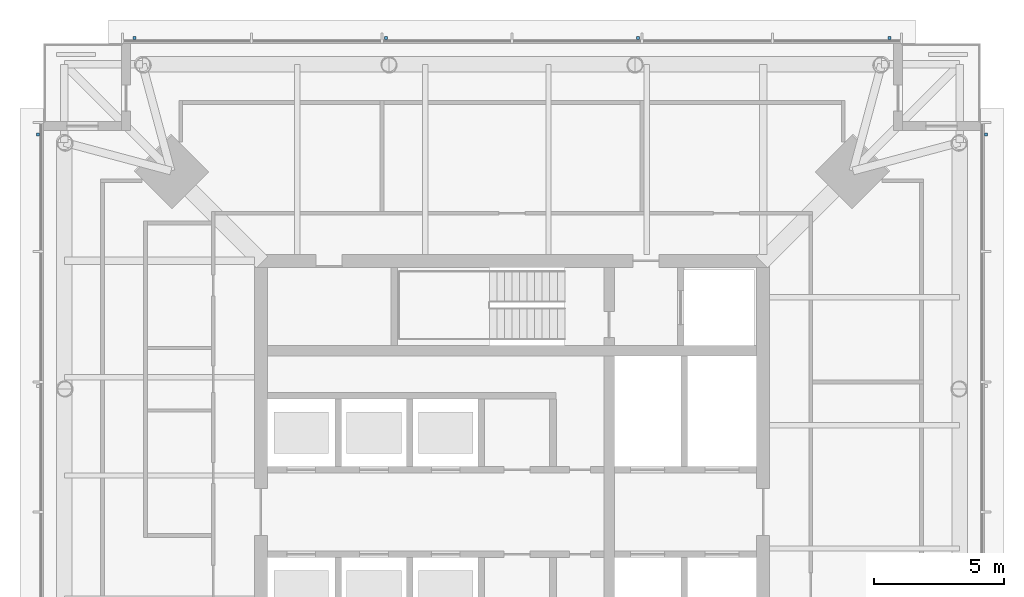
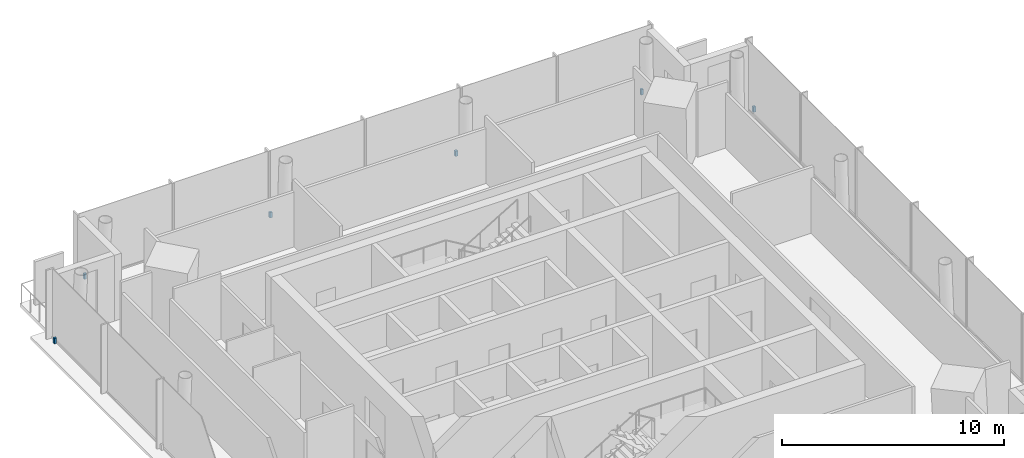
# One storey, part 8 of 10: 6 discrete accessories.
"""IFC4 building model written with IfcOpenShell, lengths in metres."""

import ifcopenshell
import ifcopenshell.guid

model = None  # the IFC model being written
_history = None  # IfcOwnerHistory: only IFC2X3 demands one
_inside = {}  # id of a spatial element -> (the spatial element, [elements in it])
_under = {}  # id of a project, library or spatial element -> (it, [spatial elements below it])
_declared = {}  # id of a project -> (the project, [libraries it declares])
_typed = {}  # id of a type object -> (the type object, [elements of that type])
_made_of = {}  # id of a material, layer set ... -> (it, [elements and type objects made of it])


def new_model(schema):
    """Start an empty IFC model of exactly this schema.

    Asked for "IFC4X3", IfcOpenShell would pick the latest addendum, in which some entities
    have other attributes; the version numbers below select the first issue.
    IFC2X3 requires an IfcOwnerHistory on every rooted entity: one is made here for all.
    """
    global model, _history
    if schema == "IFC4X3":
        model = ifcopenshell.file(schema_version=(4, 3, 0, 0))
    else:
        model = ifcopenshell.file(schema=schema)
    _inside.clear()
    _under.clear()
    _declared.clear()
    _typed.clear()
    _made_of.clear()
    _history = None
    if model.schema == "IFC2X3":
        org = make("IfcOrganization", Name="unknown")
        user = make(
            "IfcPersonAndOrganization",
            ThePerson=make("IfcPerson", FamilyName="unknown"),
            TheOrganization=org,
        )
        app = make(
            "IfcApplication",
            ApplicationDeveloper=org,
            Version="unknown",
            ApplicationFullName="unknown",
            ApplicationIdentifier="unknown",
        )
        _history = make(
            "IfcOwnerHistory",
            OwningUser=user,
            OwningApplication=app,
            ChangeAction="ADDED",
            CreationDate=0,
        )
    return model


def make(cls, **values):
    """One entity of the class cls with the attributes given. An attribute that is None is left unset."""
    return model.create_entity(
        cls, **{name: value for name, value in values.items() if value is not None}
    )


def rooted(cls, **values):
    """An entity with a GlobalId (a new one), such as an element, a storey or a relation."""
    return make(cls, GlobalId=ifcopenshell.guid.new(), OwnerHistory=_history, **values)


def si_unit(unit_type, name, prefix=None):
    """IfcSIUnit, for example si_unit("LENGTHUNIT", "METRE", prefix="MILLI")."""
    return make("IfcSIUnit", UnitType=unit_type, Prefix=prefix, Name=name)


def assignment(units):
    """IfcUnitAssignment: the units of a project."""
    return None if units is None else make("IfcUnitAssignment", Units=units)


def point(xyz):
    """IfcCartesianPoint."""
    return None if xyz is None else make("IfcCartesianPoint", Coordinates=xyz)


def direction(xyz):
    """IfcDirection."""
    return None if xyz is None else make("IfcDirection", DirectionRatios=xyz)


def frame(location, z_axis=None, x_axis=None):
    """IfcAxis2Placement3D, a coordinate frame: its origin and axes. An axis left out is left unset."""
    return make(
        "IfcAxis2Placement3D",
        Location=point(location),
        Axis=direction(z_axis),
        RefDirection=direction(x_axis),
    )


def frame_2d(location, x_axis=None):
    """IfcAxis2Placement2D, a coordinate frame in the plane: its origin and x axis."""
    return make(
        "IfcAxis2Placement2D", Location=point(location), RefDirection=direction(x_axis)
    )


def origin():
    """The frame at (0, 0, 0) with its axes left unset."""
    return frame((0.0, 0.0, 0.0))


def origin_2d():
    """The frame at (0, 0) in the plane with its x axis left unset."""
    return frame_2d((0.0, 0.0))


def place(relative_to, where):
    """IfcLocalPlacement: puts the frame where relative to a parent placement (None: the world)."""
    return make(
        "IfcLocalPlacement", PlacementRelTo=relative_to, RelativePlacement=where
    )


def context(
    kind, dimensions, precision=None, world=None, true_north=None, identifier=None
):
    """IfcGeometricRepresentationContext, for example the 3D "Model" context."""
    return make(
        "IfcGeometricRepresentationContext",
        ContextIdentifier=identifier,
        ContextType=kind,
        CoordinateSpaceDimension=dimensions,
        Precision=precision,
        WorldCoordinateSystem=world,
        TrueNorth=true_north,
    )


def subcontext(parent, identifier, kind, view, scale=None):
    """IfcGeometricRepresentationSubContext, for example "Body" below "Model"."""
    return make(
        "IfcGeometricRepresentationSubContext",
        ContextIdentifier=identifier,
        ContextType=kind,
        ParentContext=parent,
        TargetScale=scale,
        TargetView=view,
    )


def project(units=None, contexts=None):
    """IfcProject with its units and contexts."""
    return rooted(
        "IfcProject",
        Name="project",
        RepresentationContexts=contexts,
        UnitsInContext=assignment(units),
    )


def spatial(cls, under=None, at=None, **own):
    """A site, building, storey or space (cls), placed at a placement, below another one or the project."""
    s = rooted(cls, ObjectPlacement=at, **own)
    if under is not None:
        _under.setdefault(under.id(), (under, []))[1].append(s)
    return s


def profile(cls, at=None, kind="AREA", **sizes):
    """A parametric profile (cls). Its sizes go by their IFC names, for example OverallWidth=200.0."""
    return make(cls, ProfileType=kind, Position=at, **sizes)


def rectangle(**sizes):
    """IfcRectangleProfileDef."""
    return profile("IfcRectangleProfileDef", **sizes)


def extrude(swept, where, along, depth):
    """IfcExtrudedAreaSolid: the profile swept, set in the frame where, extruded along a direction by depth."""
    return make(
        "IfcExtrudedAreaSolid",
        SweptArea=swept,
        Position=where,
        ExtrudedDirection=direction(along),
        Depth=depth,
    )


def shape(context_of_items, identifier, shape_type, items):
    """IfcShapeRepresentation: the items that make up one representation, for example the "Body"."""
    return make(
        "IfcShapeRepresentation",
        ContextOfItems=context_of_items,
        RepresentationIdentifier=identifier,
        RepresentationType=shape_type,
        Items=items,
    )


def material(Name=None, Category=None):
    """IfcMaterial."""
    return make("IfcMaterial", Name=Name, Category=Category)


def made_of(thing, what):
    """Note that an element or type object is made of a material, layer set ...; save() writes the relation."""
    if what is not None:
        _made_of.setdefault(what.id(), (what, []))[1].append(thing)
    return thing


def type_object(cls, material=None, **own):
    """A type object (cls), such as IfcWallType, which elements share."""
    return made_of(rooted(cls, **own), material)


def element(
    cls,
    number,
    at=None,
    inside=None,
    cuts=None,
    type_object=None,
    material=None,
    context=None,
    identifier="Body",
    shape_type=None,
    held_by="IfcProductDefinitionShape",
    body=None,
    shapes=None,
    **own,
):
    """One element of the class cls, such as IfcWall. Its Tag is "e" and its number.

    at: its placement. inside: the storey or other place that contains it. cuts: it is an
    opening in that element (IfcRelVoidsElement). A single representation is given by context,
    identifier, shape_type and body (its items); several are given by shapes. held_by: the class
    of the entity that holds the representations. save() writes the other relations.
    """
    e = rooted(cls, Tag="e%d" % number, ObjectPlacement=at, **own)
    if body is not None:
        shapes = [shape(context, identifier, shape_type, body)]
    if shapes is not None:
        e.Representation = make(held_by, Representations=shapes)
    if inside is not None:
        _inside.setdefault(inside.id(), (inside, []))[1].append(e)
    if cuts is not None:
        rooted(
            "IfcRelVoidsElement", RelatingBuildingElement=cuts, RelatedOpeningElement=e
        )
    if type_object is not None:
        _typed.setdefault(type_object.id(), (type_object, []))[1].append(e)
    return made_of(e, material)


def aggregate(whole, parts):
    """IfcRelAggregates: a whole, such as a stair, and the parts it consists of."""
    return rooted("IfcRelAggregates", RelatingObject=whole, RelatedObjects=parts)


def save(model, path):
    """Write the relations noted so far, then the file.

    IfcRelAggregates (storeys below a building ...), IfcRelContainedInSpatialStructure (elements
    in a storey), IfcRelDefinesByType, IfcRelAssociatesMaterial and IfcRelDeclares: one each for
    every whole, place, type object, material and project.
    """
    for whole, parts in _under.values():
        aggregate(whole, parts)
    for where, things in _inside.values():
        rooted(
            "IfcRelContainedInSpatialStructure",
            RelatedElements=things,
            RelatingStructure=where,
        )
    for kind, things in _typed.values():
        rooted("IfcRelDefinesByType", RelatedObjects=things, RelatingType=kind)
    for what, things in _made_of.values():
        rooted("IfcRelAssociatesMaterial", RelatedObjects=things, RelatingMaterial=what)
    for by, libraries in _declared.values():
        rooted("IfcRelDeclares", RelatingContext=by, RelatedDefinitions=libraries)
    model.write(path)


model = new_model("IFC4")

# Units and contexts
model_context = context("Model", 3, precision=1e-05, world=origin(), true_north=direction((0.0, 1.0)))
body_context = subcontext(model_context, "Body", "Model", "MODEL_VIEW")
ifc_project = project(units=[si_unit("LENGTHUNIT", "METRE"), si_unit("AREAUNIT", "SQUARE_METRE"), si_unit("VOLUMEUNIT", "CUBIC_METRE"), si_unit("PLANEANGLEUNIT", "RADIAN"), si_unit("MASSUNIT", "GRAM", prefix="KILO")], contexts=[model_context])

# Site, building, storey
site_placement = place(None, origin())
site = spatial("IfcSite", under=ifc_project, at=site_placement, CompositionType="ELEMENT")
building_placement = place(site_placement, origin())
building = spatial("IfcBuilding", under=site, at=building_placement, Name="Ostroluk Exchange", CompositionType="ELEMENT")
storey_placement = place(building_placement, frame((0.0, 0.0, 233.800048828125)))
storey = spatial("IfcBuildingStorey", under=building, at=storey_placement, Name="L60", CompositionType="ELEMENT", Elevation=233.800048828125)

# Discrete accessories
ifc_material = material(Name="Stainless steel", Category="steel")
discrete_accessory_type = type_object("IfcDiscreteAccessoryType", Name="Fall-arrest anchor PN-EN 795 type C", PredefinedType="USERDEFINED", material=ifc_material)
for number, where, z_axis, x_axis, name in (
    (1, (63.2099609375, 60.5, 0.0), (0.0, 0.0, 1.0), (1.0, 0.0, 0.0), "Fall-arrest anchor L60 east 4"),
    (2, (30.5, 64.2099609375, 0.0), (0.0, 0.0, 1.0), (1.0, 0.0, 0.0), "Fall-arrest anchor L60 north 1"),
    (3, (40.166748046875, 64.2099609375, 0.0), (0.0, 0.0, 1.0), (1.0, 0.0, 0.0), "Fall-arrest anchor L60 north 2"),
    (4, (49.833251953125, 64.2099609375, 0.0), (0.0, 0.0, 1.0), (1.0, 0.0, 0.0), "Fall-arrest anchor L60 north 3"),
    (5, (59.5, 64.2099609375, 0.0), (0.0, 0.0, 1.0), (1.0, 0.0, 0.0), "Fall-arrest anchor L60 north 4"),
    (6, (26.7900390625, 60.5, 0.0), (0.0, 0.0, 1.0), (1.0, 0.0, 0.0), "Fall-arrest anchor L60 west 4"),
):
    element("IfcDiscreteAccessory", number, at=place(storey_placement, frame(where, z_axis=z_axis, x_axis=x_axis)), inside=storey, type_object=discrete_accessory_type, Name=name, ObjectType="FALL ARREST ANCHOR", PredefinedType="USERDEFINED", context=body_context, shape_type="SweptSolid", body=[
        extrude(rectangle(XDim=0.1201171875, YDim=0.1201171875, at=origin_2d()), origin(), (0.0, 0.0, 1.0), 0.300048828125),
    ])

save(model, "model.ifc")
